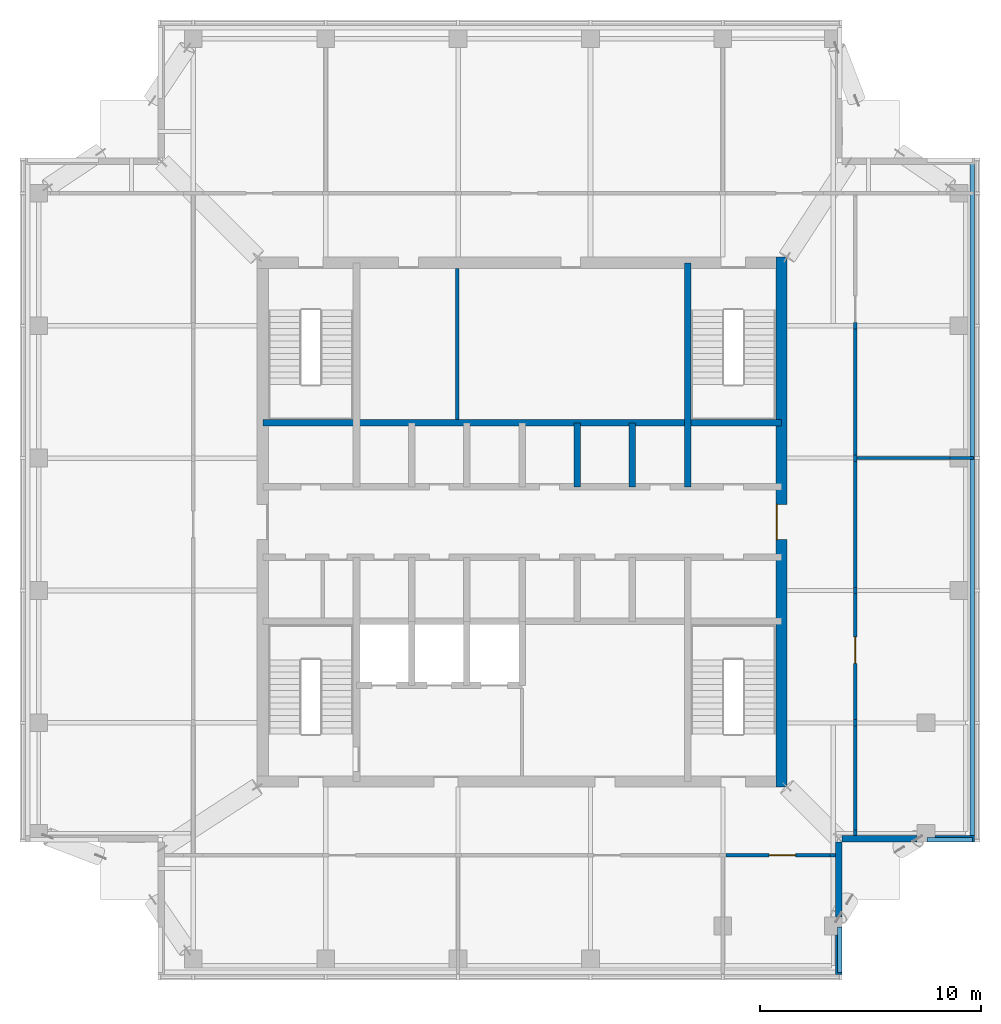
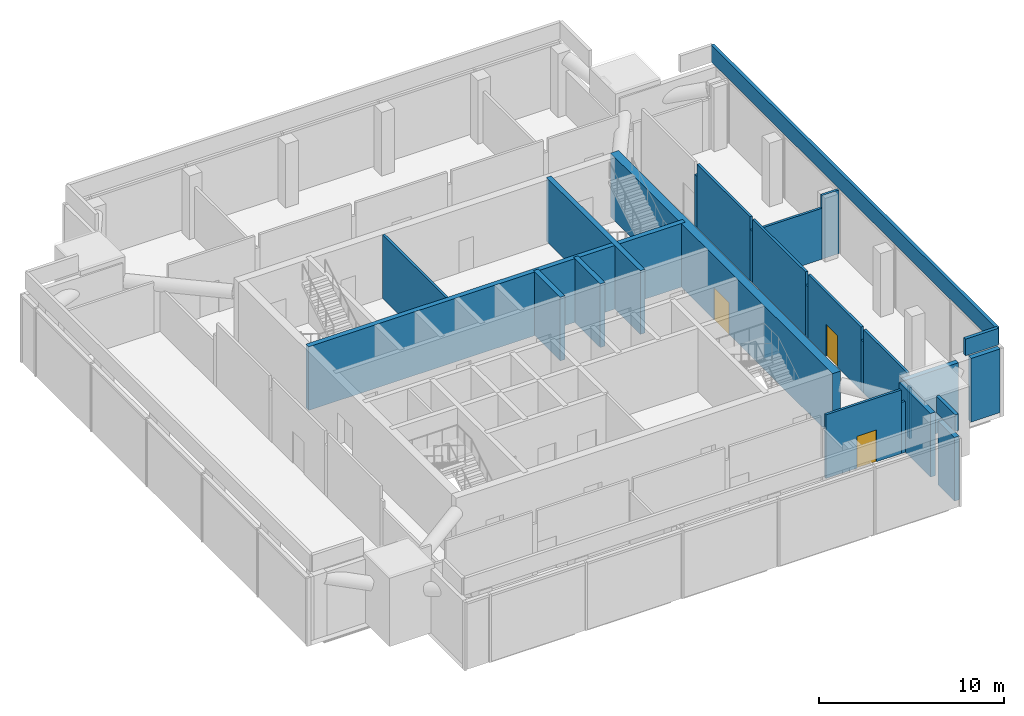
# One storey, part 5 of 11: 26 walls, 3 doors, 3 openings.
"""IFC4 building model written with IfcOpenShell, lengths in metres."""

from ifc_helpers import new_model, si_unit, direction, frame, frame_2d, origin, place, context, subcontext, project, spatial, rectangle, extrude, material, layer, layer_set, type_object, element, fill, save


model = new_model("IFC4")

# Units and contexts
model_context = context("Model", 3, precision=1e-05, world=origin(), true_north=direction((0.0, 1.0)))
body_context = subcontext(model_context, "Body", "Model", "MODEL_VIEW")
ifc_project = project(units=[si_unit("LENGTHUNIT", "METRE"), si_unit("AREAUNIT", "SQUARE_METRE"), si_unit("VOLUMEUNIT", "CUBIC_METRE"), si_unit("PLANEANGLEUNIT", "RADIAN"), si_unit("MASSUNIT", "GRAM", prefix="KILO")], contexts=[model_context])

# Site, building, storey
site_placement = place(None, origin())
site = spatial("IfcSite", under=ifc_project, at=site_placement, CompositionType="ELEMENT")
building_placement = place(site_placement, origin())
building = spatial("IfcBuilding", under=site, at=building_placement, Name="Amberfall Residences", CompositionType="ELEMENT")
storey_placement = place(building_placement, frame((0.0, 0.0, 286.300048828125)))
storey = spatial("IfcBuildingStorey", under=building, at=storey_placement, Name="L77 Crown", CompositionType="ELEMENT", Elevation=286.300048828125)

# Walls
ifc_material_1 = material(Name="Concrete C50", Category="concrete")
ifc_layer_1 = layer(ifc_material_1, 0.300048828125)
ifc_layer_set_1 = layer_set([ifc_layer_1], Name="Core wall 300 C50")
wall_type_1 = type_object("IfcWallType", Name="Core wall 300 C50", PredefinedType="SHEAR", material=ifc_layer_set_1)
wall_1_placement = place(storey_placement, frame((62.75, 50.0, 0.0), z_axis=(0.0, 0.0, 1.0), x_axis=(1.0, 0.0, 0.0)))
element("IfcWall", 1, at=wall_1_placement, inside=storey, type_object=wall_type_1, Name="Core wall RW10 L77 Crown H165", PredefinedType="SHEAR", context=body_context, shape_type="SweptSolid", body=[
    extrude(rectangle(XDim=23.5, YDim=0.300048828125, at=frame_2d((11.75, 0.0))), origin(), (0.0, 0.0, 1.0), 4.199951171875),
])
wall_2_placement = place(storey_placement, frame((82.0, 47.10009765625, 0.0), z_axis=(0.0, 0.0, 1.0), x_axis=(0.0, 1.0, 0.0)))
element("IfcWall", 2, at=wall_2_placement, inside=storey, type_object=wall_type_1, Name="Core wall RW10 L77 Crown V195N", PredefinedType="SHEAR", context=body_context, shape_type="SweptSolid", body=[
    extrude(rectangle(XDim=10.14990234375, YDim=0.300048828125, at=frame_2d((5.074951171875, 0.0))), origin(), (0.0, 0.0, 1.0), 4.199951171875),
])
for number, where, z_axis, x_axis, name in (
    (3, (77.0, 47.10009765625, 0.0), (0.0, 0.0, 1.0), (0.0, 1.0, 0.0), "Core wall RW10 L77 Crown HPD4"),
    (4, (79.5, 47.10009765625, 0.0), (0.0, 0.0, 1.0), (0.0, 1.0, 0.0), "Core wall RW10 L77 Crown HPD5"),
):
    element("IfcWall", number, at=place(storey_placement, frame(where, z_axis=z_axis, x_axis=x_axis)), inside=storey, type_object=wall_type_1, Name=name, PredefinedType="SHEAR", context=body_context, shape_type="SweptSolid", body=[
        extrude(rectangle(XDim=2.89990234375, YDim=0.300048828125, at=frame_2d((1.449951171875, 0.0))), origin(), (0.0, 0.0, 1.0), 4.199951171875),
    ])

# Wall, opening, door
ifc_layer_2 = layer(ifc_material_1, 0.5)
ifc_layer_set_2 = layer_set([ifc_layer_2], Name="Core wall 500 C50")
wall_type_2 = type_object("IfcWallType", Name="Core wall 500 C50", PredefinedType="SHEAR", material=ifc_layer_set_2)
wall_3_placement = place(storey_placement, frame((86.25, 33.5, 0.0), z_axis=(0.0, 0.0, 1.0), x_axis=(0.0, 1.0, 0.0)))
wall_3 = element("IfcWall", 5, at=wall_3_placement, inside=storey, type_object=wall_type_2, Name="Core wall RW9 L77 Crown OE", PredefinedType="SHEAR", context=body_context, shape_type="SweptSolid", body=[
    extrude(rectangle(XDim=24.0, YDim=0.5, at=frame_2d((12.0, 0.0))), origin(), (0.0, 0.0, 1.0), 4.199951171875),
])
opening_1_placement = place(wall_3_placement, frame((11.199951171875, 0.0, 0.0)))
opening_1 = element("IfcOpeningElement", 6, at=opening_1_placement, cuts=wall_3, Name="Opening LB1", PredefinedType="OPENING", context=body_context, shape_type="SweptSolid", body=[
    extrude(rectangle(XDim=1.60009765625, YDim=2.10009765625, at=frame_2d((0.800048828125, 1.050048828125))), frame((0.0, 0.260009765625, 0.0), z_axis=(0.0, -1.0, 0.0), x_axis=(1.0, 0.0, 0.0)), (0.0, 0.0, 1.0), 0.52001953125),
])
ifc_material_2 = material(Name="Steel fire door set", Category="steel")
door_type_1 = type_object("IfcDoorType", Name="Lift lobby double door 1600 x 2100", OperationType="DOUBLE_DOOR_SINGLE_SWING", PredefinedType="DOOR", material=ifc_material_2)
door_1_placement = place(opening_1_placement, origin())
door_1 = element("IfcDoor", 7, at=door_1_placement, inside=storey, type_object=door_type_1, Name="LB1 L77 Crown", OperationType="DOUBLE_DOOR_SINGLE_SWING", OverallHeight=2.10009765625, OverallWidth=1.60009765625, PredefinedType="DOOR", context=body_context, shape_type="SweptSolid", body=[
    extrude(rectangle(XDim=1.60009765625, YDim=2.10009765625, at=frame_2d((0.800048828125, 1.050048828125))), frame((0.0, 0.2373046875, 0.0), z_axis=(0.0, -1.0, 0.0), x_axis=(1.0, 0.0, 0.0)), (0.0, 0.0, 1.0), 0.050048828125),
])
fill(opening_1, door_1)

# Walls
ifc_material_3 = material(Name="Bronze aluminium louvre cladding on insulated backing", Category="aluminium")
ifc_layer_3 = layer(ifc_material_3, 0.300048828125)
ifc_layer_set_3 = layer_set([ifc_layer_3], Name="Louvre clad wall 300")
wall_type_3 = type_object("IfcWallType", Name="Louvre clad wall 300", PredefinedType="SOLIDWALL", material=ifc_layer_set_3)
wall_4_placement = place(storey_placement, frame((88.85009765625, 25.0, 0.0), z_axis=(0.0, 0.0, 1.0), x_axis=(0.0, 1.0, 0.0)))
element("IfcWall", 8, at=wall_4_placement, inside=storey, type_object=wall_type_3, Name="External wall L77 Crown SE", PredefinedType="SOLIDWALL", context=body_context, shape_type="SweptSolid", body=[
    extrude(rectangle(XDim=1.800048828125, YDim=0.300048828125, at=frame_2d((0.89990234375, 0.0))), origin(), (0.0, 0.0, 1.0), 4.199951171875),
])
for number, where, z_axis, x_axis, name in (
    (9, (88.85009765625, 27.60009765625, 0.0), (0.0, 0.0, 1.0), (0.0, 1.0, 0.0), "External wall L77 Crown SE"),
    (10, (89.0, 31.14990234375, 0.0), (0.0, 0.0, 1.0), (1.0, 0.0, 0.0), "External wall L77 Crown SE"),
):
    element("IfcWall", number, at=place(storey_placement, frame(where, z_axis=z_axis, x_axis=x_axis)), inside=storey, type_object=wall_type_3, Name=name, PredefinedType="SOLIDWALL", context=body_context, shape_type="SweptSolid", body=[
        extrude(rectangle(XDim=3.39990234375, YDim=0.300048828125, at=frame_2d((1.699951171875, 0.0))), origin(), (0.0, 0.0, 1.0), 4.199951171875),
    ])
wall_5_placement = place(storey_placement, frame((93.199951171875, 31.14990234375, 0.0), z_axis=(0.0, 0.0, 1.0), x_axis=(1.0, 0.0, 0.0)))
element("IfcWall", 11, at=wall_5_placement, inside=storey, type_object=wall_type_3, Name="External wall L77 Crown SE", PredefinedType="SOLIDWALL", context=body_context, shape_type="SweptSolid", body=[
    extrude(rectangle(XDim=1.800048828125, YDim=0.300048828125, at=frame_2d((0.89990234375, 0.0))), origin(), (0.0, 0.0, 1.0), 4.199951171875),
])

# Wall, opening, door
ifc_material_4 = material(Name="Fire-rated gypsum board on steel studs", Category="steel")
ifc_layer_4 = layer(ifc_material_4, 0.14990234375)
ifc_layer_set_4 = layer_set([ifc_layer_4], Name="Partition 150 fire-rated")
wall_type_4 = type_object("IfcWallType", Name="Partition 150 fire-rated", PredefinedType="PARTITIONING", material=ifc_layer_set_4)
wall_6_placement = place(storey_placement, frame((83.745849609375, 30.39990234375, 0.0), z_axis=(0.0, 0.0, 1.0), x_axis=(1.0, 0.0, 0.0)))
wall_6 = element("IfcWall", 12, at=wall_6_placement, inside=storey, type_object=wall_type_4, Name="Partition 150 fire-rated L77 Crown 011", PredefinedType="PARTITIONING", context=body_context, shape_type="SweptSolid", body=[
    extrude(rectangle(XDim=4.708251953125, YDim=0.14990234375, at=frame_2d((2.35400390625, 0.0))), origin(), (0.0, 0.0, 1.0), 4.199951171875),
])
opening_2_placement = place(wall_6_placement, frame((1.9541015625, 0.0, 0.0)))
opening_2 = element("IfcOpeningElement", 13, at=opening_2_placement, cuts=wall_6, Name="Opening D7", PredefinedType="OPENING", context=body_context, shape_type="SweptSolid", body=[
    extrude(rectangle(XDim=1.199951171875, YDim=2.10009765625, at=frame_2d((0.60009765625, 1.050048828125))), frame((0.0, 0.0849609375, 0.0), z_axis=(0.0, -1.0, 0.0), x_axis=(1.0, 0.0, 0.0)), (0.0, 0.0, 1.0), 0.169921875),
])
ifc_material_5 = material(Name="Steel fire door leaf", Category="steel")
door_type_2 = type_object("IfcDoorType", Name="Plant room door 1200x2100", OperationType="SINGLE_SWING_LEFT", PredefinedType="DOOR", material=ifc_material_5)
door_2_placement = place(opening_2_placement, origin())
door_2 = element("IfcDoor", 14, at=door_2_placement, inside=storey, type_object=door_type_2, Name="Door Cooling tower plant room", OperationType="SINGLE_SWING_LEFT", OverallHeight=2.10009765625, OverallWidth=1.199951171875, PredefinedType="DOOR", context=body_context, shape_type="SweptSolid", body=[
    extrude(rectangle(XDim=1.199951171875, YDim=2.10009765625, at=frame_2d((0.60009765625, 1.050048828125))), frame((0.0, 0.02490234375, 0.0), z_axis=(0.0, -1.0, 0.0), x_axis=(1.0, 0.0, 0.0)), (0.0, 0.0, 1.0), 0.050048828125),
])
fill(opening_2, door_2)

# Walls
wall_7_placement = place(storey_placement, frame((88.4541015625, 30.39990234375, 0.0), z_axis=(0.0, 0.0, 1.0), x_axis=(1.0, 0.0, 0.0)))
element("IfcWall", 15, at=wall_7_placement, inside=storey, type_object=wall_type_4, Name="Partition 150 fire-rated L77 Crown 012", PredefinedType="PARTITIONING", context=body_context, shape_type="SweptSolid", body=[
    extrude(rectangle(XDim=0.245849609375, YDim=0.14990234375, at=frame_2d((0.123046875, 0.0))), origin(), (0.0, 0.0, 1.0), 3.362060546875),
])
wall_8_placement = place(storey_placement, frame((89.675048828125, 48.39990234375, 0.0), z_axis=(0.0, 0.0, 1.0), x_axis=(1.0, 0.0, 0.0)))
element("IfcWall", 16, at=wall_8_placement, inside=storey, type_object=wall_type_4, Name="Partition 150 fire-rated L77 Crown 013", PredefinedType="PARTITIONING", context=body_context, shape_type="SweptSolid", body=[
    extrude(rectangle(XDim=4.224853515625, YDim=0.14990234375, at=frame_2d((2.1123046875, 0.0))), origin(), (0.0, 0.0, 1.0), 3.364990234375),
])
wall_9_placement = place(storey_placement, frame((93.89990234375, 48.39990234375, 0.0), z_axis=(0.0, 0.0, 1.0), x_axis=(1.0, 0.0, 0.0)))
element("IfcWall", 17, at=wall_9_placement, inside=storey, type_object=wall_type_4, Name="Partition 150 fire-rated L77 Crown 014", PredefinedType="PARTITIONING", context=body_context, shape_type="SweptSolid", body=[
    extrude(rectangle(XDim=1.050048828125, YDim=0.14990234375, at=frame_2d((0.52490234375, 0.0))), origin(), (0.0, 0.0, 1.0), 4.199951171875),
])
wall_10_placement = place(storey_placement, frame((89.60009765625, 31.300048828125, 0.0), z_axis=(0.0, 0.0, 1.0), x_axis=(0.0, 1.0, 0.0)))
element("IfcWall", 18, at=wall_10_placement, inside=storey, type_object=wall_type_4, Name="Partition 150 fire-rated L77 Crown 048", PredefinedType="PARTITIONING", context=body_context, shape_type="SweptSolid", body=[
    extrude(rectangle(XDim=0.245849609375, YDim=0.14990234375, at=frame_2d((0.123046875, 0.0))), origin(), (0.0, 0.0, 1.0), 3.364990234375),
])
wall_11_placement = place(storey_placement, frame((89.60009765625, 31.5458984375, 0.0), z_axis=(0.0, 0.0, 1.0), x_axis=(0.0, 1.0, 0.0)))
element("IfcWall", 19, at=wall_11_placement, inside=storey, type_object=wall_type_4, Name="Partition 150 fire-rated L77 Crown 049", PredefinedType="PARTITIONING", context=body_context, shape_type="SweptSolid", body=[
    extrude(rectangle(XDim=4.708251953125, YDim=0.14990234375, at=frame_2d((2.35400390625, 0.0))), origin(), (0.0, 0.0, 1.0), 4.199951171875),
])
wall_12_placement = place(storey_placement, frame((89.60009765625, 36.254150390625, 0.0), z_axis=(0.0, 0.0, 1.0), x_axis=(0.0, 1.0, 0.0)))
element("IfcWall", 20, at=wall_12_placement, inside=storey, type_object=wall_type_4, Name="Partition 150 fire-rated L77 Crown 050", PredefinedType="PARTITIONING", context=body_context, shape_type="SweptSolid", body=[
    extrude(rectangle(XDim=0.291748046875, YDim=0.14990234375, at=frame_2d((0.14599609375, 0.0))), origin(), (0.0, 0.0, 1.0), 3.35888671875),
])

# Wall, opening, door
wall_13_placement = place(storey_placement, frame((89.60009765625, 36.5458984375, 0.0), z_axis=(0.0, 0.0, 1.0), x_axis=(0.0, 1.0, 0.0)))
wall_13 = element("IfcWall", 21, at=wall_13_placement, inside=storey, type_object=wall_type_4, Name="Partition 150 fire-rated L77 Crown 051", PredefinedType="PARTITIONING", context=body_context, shape_type="SweptSolid", body=[
    extrude(rectangle(XDim=5.708251953125, YDim=0.14990234375, at=frame_2d((2.85400390625, 0.0))), origin(), (0.0, 0.0, 1.0), 4.199951171875),
])
opening_3_placement = place(wall_13_placement, frame((2.55419921875, 0.0, 0.0)))
opening_3 = element("IfcOpeningElement", 22, at=opening_3_placement, cuts=wall_13, Name="Opening D7", PredefinedType="OPENING", context=body_context, shape_type="SweptSolid", body=[
    extrude(rectangle(XDim=1.199951171875, YDim=2.10009765625, at=frame_2d((0.60009765625, 1.050048828125))), frame((0.0, 0.0849609375, 0.0), z_axis=(0.0, -1.0, 0.0), x_axis=(1.0, 0.0, 0.0)), (0.0, 0.0, 1.0), 0.169921875),
])
door_3_placement = place(opening_3_placement, origin())
door_3 = element("IfcDoor", 23, at=door_3_placement, inside=storey, type_object=door_type_2, Name="Door Transformer room", OperationType="SINGLE_SWING_LEFT", OverallHeight=2.10009765625, OverallWidth=1.199951171875, PredefinedType="DOOR", context=body_context, shape_type="SweptSolid", body=[
    extrude(rectangle(XDim=1.199951171875, YDim=2.10009765625, at=frame_2d((0.60009765625, 1.050048828125))), frame((0.0, 0.02490234375, 0.0), z_axis=(0.0, -1.0, 0.0), x_axis=(1.0, 0.0, 0.0)), (0.0, 0.0, 1.0), 0.050048828125),
])
fill(opening_3, door_3)

# Walls
wall_14_placement = place(storey_placement, frame((89.60009765625, 42.254150390625, 0.0), z_axis=(0.0, 0.0, 1.0), x_axis=(0.0, 1.0, 0.0)))
element("IfcWall", 24, at=wall_14_placement, inside=storey, type_object=wall_type_4, Name="Partition 150 fire-rated L77 Crown 052", PredefinedType="PARTITIONING", context=body_context, shape_type="SweptSolid", body=[
    extrude(rectangle(XDim=0.291748046875, YDim=0.14990234375, at=frame_2d((0.14599609375, 0.0))), origin(), (0.0, 0.0, 1.0), 3.364990234375),
])
wall_15_placement = place(storey_placement, frame((89.60009765625, 42.5458984375, 0.0), z_axis=(0.0, 0.0, 1.0), x_axis=(0.0, 1.0, 0.0)))
element("IfcWall", 25, at=wall_15_placement, inside=storey, type_object=wall_type_4, Name="Partition 150 fire-rated L77 Crown 053", PredefinedType="PARTITIONING", context=body_context, shape_type="SweptSolid", body=[
    extrude(rectangle(XDim=5.708251953125, YDim=0.14990234375, at=frame_2d((2.85400390625, 0.0))), origin(), (0.0, 0.0, 1.0), 4.199951171875),
])
wall_16_placement = place(storey_placement, frame((89.60009765625, 48.254150390625, 0.0), z_axis=(0.0, 0.0, 1.0), x_axis=(0.0, 1.0, 0.0)))
element("IfcWall", 26, at=wall_16_placement, inside=storey, type_object=wall_type_4, Name="Partition 150 fire-rated L77 Crown 054", PredefinedType="PARTITIONING", context=body_context, shape_type="SweptSolid", body=[
    extrude(rectangle(XDim=0.291748046875, YDim=0.14990234375, at=frame_2d((0.14599609375, 0.0))), origin(), (0.0, 0.0, 1.0), 3.364990234375),
])
wall_17_placement = place(storey_placement, frame((89.60009765625, 48.5458984375, 0.0), z_axis=(0.0, 0.0, 1.0), x_axis=(0.0, 1.0, 0.0)))
element("IfcWall", 27, at=wall_17_placement, inside=storey, type_object=wall_type_4, Name="Partition 150 fire-rated L77 Crown 055", PredefinedType="PARTITIONING", context=body_context, shape_type="SweptSolid", body=[
    extrude(rectangle(XDim=5.708251953125, YDim=0.14990234375, at=frame_2d((2.85400390625, 0.0))), origin(), (0.0, 0.0, 1.0), 4.199951171875),
])
wall_18_placement = place(storey_placement, frame((89.60009765625, 54.254150390625, 0.0), z_axis=(0.0, 0.0, 1.0), x_axis=(0.0, 1.0, 0.0)))
element("IfcWall", 28, at=wall_18_placement, inside=storey, type_object=wall_type_4, Name="Partition 150 fire-rated L77 Crown 056", PredefinedType="PARTITIONING", context=body_context, shape_type="SweptSolid", body=[
    extrude(rectangle(XDim=0.291748046875, YDim=0.14990234375, at=frame_2d((0.14599609375, 0.0))), origin(), (0.0, 0.0, 1.0), 3.35888671875),
])
ifc_material_6 = material(Name="Concrete blockwork", Category="masonry")
ifc_layer_5 = layer(ifc_material_6, 0.14990234375)
ifc_layer_set_5 = layer_set([ifc_layer_5], Name="Riser wall 150")
wall_type_5 = type_object("IfcWallType", Name="Riser wall 150", PredefinedType="PLUMBINGWALL", material=ifc_layer_set_5)
wall_19_placement = place(storey_placement, frame((71.56005859375, 50.14990234375, 0.0), z_axis=(0.0, 0.0, 1.0), x_axis=(0.0, 1.0, 0.0)))
element("IfcWall", 29, at=wall_19_placement, inside=storey, type_object=wall_type_5, Name="L77 Crown core wall N0", PredefinedType="PLUMBINGWALL", context=body_context, shape_type="SweptSolid", body=[
    extrude(rectangle(XDim=6.85009765625, YDim=0.14990234375, at=frame_2d((3.425048828125, 0.0))), origin(), (0.0, 0.0, 1.0), 4.199951171875),
])
ifc_material_7 = material(Name="Reinforced concrete C50", Category="concrete")
ifc_layer_6 = layer(ifc_material_7, 0.199951171875)
ifc_layer_set_6 = layer_set([ifc_layer_6], Name="Roof parapet 200")
wall_type_6 = type_object("IfcWallType", Name="Roof parapet 200", PredefinedType="PARAPET", material=ifc_layer_set_6)
for number, where, z_axis, x_axis, name in (
    (30, (94.89990234375, 31.10009765625, 4.5), (0.0, 0.0, 1.0), (-1.0, 0.0, 0.0), "Roof parapet"),
    (31, (88.89990234375, 27.14990234375, 4.5), (0.0, 0.0, 1.0), (0.0, -1.0, 0.0), "Roof parapet"),
):
    element("IfcWall", number, at=place(storey_placement, frame(where, z_axis=z_axis, x_axis=x_axis)), inside=storey, type_object=wall_type_6, Name=name, PredefinedType="PARAPET", context=body_context, shape_type="SweptSolid", body=[
        extrude(rectangle(XDim=2.0498046875, YDim=0.199951171875, at=frame_2d((1.02490234375, 0.0))), origin(), (0.0, 0.0, 1.0), 1.099853515625),
    ])
wall_20_placement = place(storey_placement, frame((94.89990234375, 61.89990234375, 4.5), z_axis=(0.0, 0.0, 1.0), x_axis=(0.0, -1.0, 0.0)))
element("IfcWall", 32, at=wall_20_placement, inside=storey, type_object=wall_type_6, Name="Roof parapet", PredefinedType="PARAPET", context=body_context, shape_type="SweptSolid", body=[
    extrude(rectangle(XDim=30.7998046875, YDim=0.199951171875, at=frame_2d((15.39990234375, 0.0))), origin(), (0.0, 0.0, 1.0), 1.099853515625),
])

save(model, "model.ifc")
